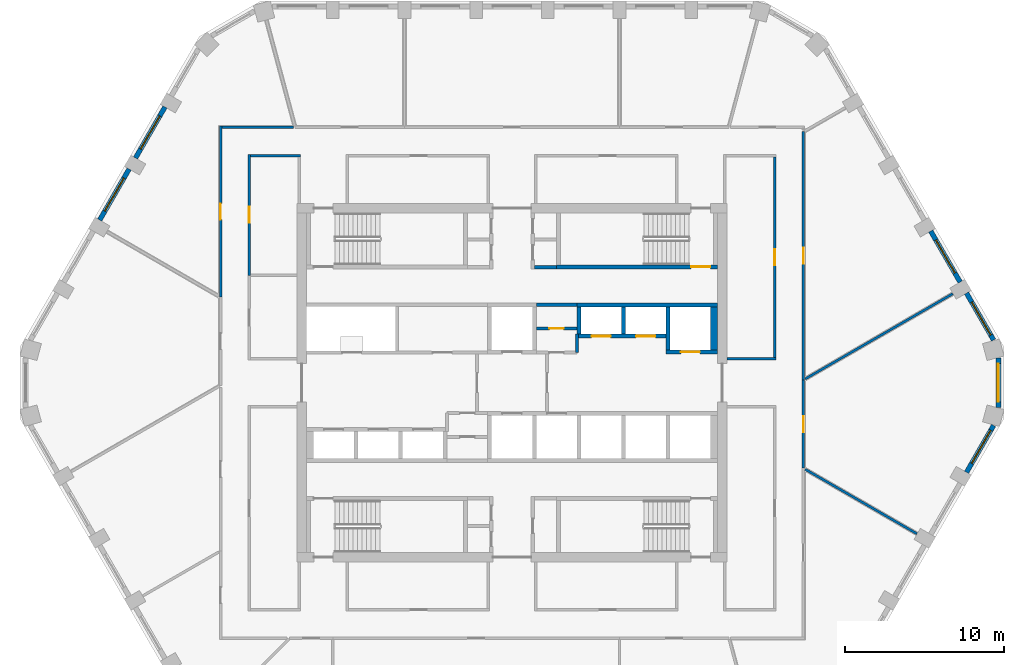
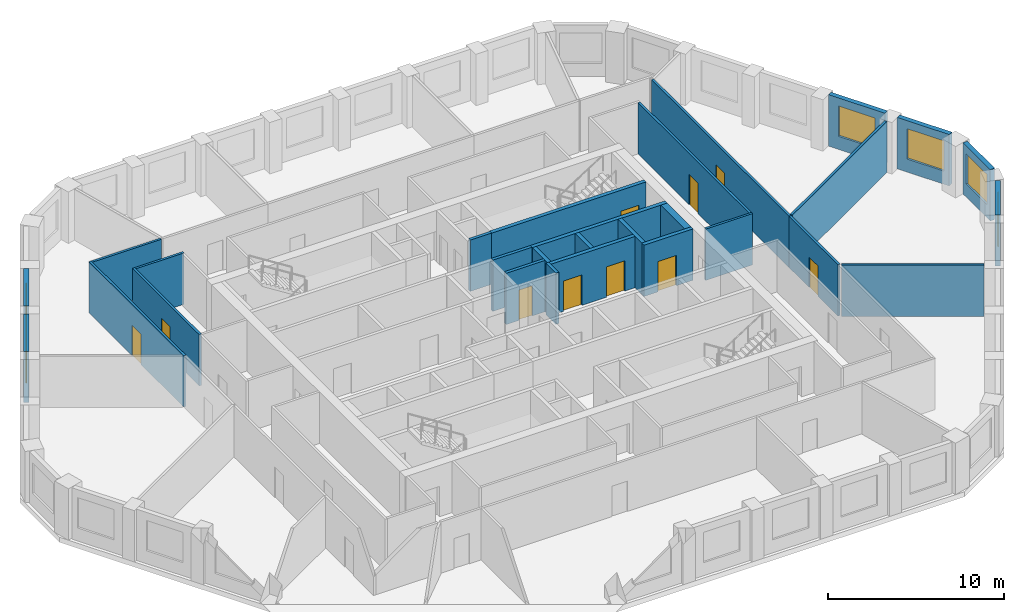
# One storey, part 5 of 13: 28 walls, 10 doors, 6 windows, 16 openings.
"""IFC4 building model written with IfcOpenShell, lengths in metres."""

from ifc_helpers import new_model, si_unit, direction, frame, frame_2d, origin, place, context, subcontext, project, spatial, polyline, rectangle, outline, extrude, material, layer, layer_set, type_object, element, fill, save


model = new_model("IFC4")

# Units and contexts
model_context = context("Model", 3, precision=1e-05, world=origin(), true_north=direction((0.0, 1.0)))
body_context = subcontext(model_context, "Body", "Model", "MODEL_VIEW")
ifc_project = project(units=[si_unit("LENGTHUNIT", "METRE"), si_unit("AREAUNIT", "SQUARE_METRE"), si_unit("VOLUMEUNIT", "CUBIC_METRE"), si_unit("PLANEANGLEUNIT", "RADIAN"), si_unit("MASSUNIT", "GRAM", prefix="KILO")], contexts=[model_context])

# Site, building, storey
site_placement = place(None, origin())
site = spatial("IfcSite", under=ifc_project, at=site_placement, CompositionType="ELEMENT")
building_placement = place(site_placement, origin())
building = spatial("IfcBuilding", under=site, at=building_placement, Name="Dhurran Vertical Campus", CompositionType="ELEMENT")
storey_placement = place(building_placement, frame((0.0, 0.0, 191.699951171875)))
storey = spatial("IfcBuildingStorey", under=building, at=storey_placement, Name="L47", CompositionType="ELEMENT", Elevation=191.699951171875)

# Wall, opening, window
ifc_material_1 = material(Name="Precast concrete C50/60", Category="concrete")
ifc_layer_1 = layer(ifc_material_1, 0.300048828125)
ifc_layer_set_1 = layer_set([ifc_layer_1], Name="Precast concrete C50/60")
wall_type_1 = type_object("IfcWallType", Name="Precast spandrel wall 300", PredefinedType="SOLIDWALL", material=ifc_layer_set_1)
wall_1_placement = place(storey_placement, frame((28.544189453125, -5.625244140625, 0.0), z_axis=(0.0, 0.0, 1.0), x_axis=(0.500012868213, 0.866017974191, 0.0)))
wall_1 = element("IfcWall", 1, at=wall_1_placement, inside=storey, type_object=wall_type_1, Name="EW1 L47.12", PredefinedType="SOLIDWALL", context=body_context, shape_type="SweptSolid", body=[
    extrude(rectangle(XDim=3.39599609375, YDim=0.300048828125, at=frame_2d((1.697998046875, 0.0))), origin(), (0.0, 0.0, 1.0), 3.550048828125),
])
opening_1_placement = place(wall_1_placement, frame((0.6494140625, 0.0, 0.89990234375)))
opening_1 = element("IfcOpeningElement", 2, at=opening_1_placement, cuts=wall_1, Name="Opening WT1", PredefinedType="OPENING", context=body_context, shape_type="SweptSolid", body=[
    extrude(rectangle(XDim=2.39990234375, YDim=2.10009765625, at=frame_2d((1.199951171875, 1.050048828125))), frame((0.0, 0.159912109375, 0.0), z_axis=(0.0, -1.0, 0.0), x_axis=(1.0, 0.0, 0.0)), (0.0, 0.0, 1.0), 0.320068359375),
])
ifc_material_2 = material(Name="Aluminium frame with solar-control glass", Category="aluminium")
window_type = type_object("IfcWindowType", Name="Punched window 2400 x 2100", PartitioningType="SINGLE_PANEL", PredefinedType="WINDOW", material=ifc_material_2)
window_1_placement = place(opening_1_placement, origin())
window_1 = element("IfcWindow", 3, at=window_1_placement, inside=storey, type_object=window_type, Name="WT1 L47.12", OverallHeight=2.10009765625, OverallWidth=2.39990234375, PartitioningType="SINGLE_PANEL", PredefinedType="WINDOW", context=body_context, shape_type="SweptSolid", body=[
    extrude(rectangle(XDim=2.39990234375, YDim=2.10009765625, at=frame_2d((1.199951171875, 1.050048828125))), frame((0.0, 0.030029296875, 0.0), z_axis=(0.0, -1.0, 0.0), x_axis=(1.0, 0.0, 0.0)), (0.0, 0.0, 1.0), 0.06005859375),
])
fill(opening_1, window_1)

wall_2_placement = place(storey_placement, frame((30.547119140625, -1.54638671875, 0.0), z_axis=(0.0, 0.0, 1.0), x_axis=(0.0, 1.0, 0.0)))
wall_2 = element("IfcWall", 4, at=wall_2_placement, inside=storey, type_object=wall_type_1, Name="EW1 L47.13", PredefinedType="SOLIDWALL", context=body_context, shape_type="SweptSolid", body=[
    extrude(rectangle(XDim=3.0927734375, YDim=0.300048828125, at=frame_2d((1.54638671875, 0.0))), origin(), (0.0, 0.0, 1.0), 3.550048828125),
])
opening_2_placement = place(wall_2_placement, frame((0.34619140625, 0.0, 0.89990234375)))
opening_2 = element("IfcOpeningElement", 5, at=opening_2_placement, cuts=wall_2, Name="Opening WT1", PredefinedType="OPENING", context=body_context, shape_type="SweptSolid", body=[
    extrude(rectangle(XDim=2.39990234375, YDim=2.10009765625, at=frame_2d((1.199951171875, 1.050048828125))), frame((0.0, 0.159912109375, 0.0), z_axis=(0.0, -1.0, 0.0), x_axis=(1.0, 0.0, 0.0)), (0.0, 0.0, 1.0), 0.320068359375),
])
window_2_placement = place(opening_2_placement, origin())
window_2 = element("IfcWindow", 6, at=window_2_placement, inside=storey, type_object=window_type, Name="WT1 L47.13", OverallHeight=2.10009765625, OverallWidth=2.39990234375, PartitioningType="SINGLE_PANEL", PredefinedType="WINDOW", context=body_context, shape_type="SweptSolid", body=[
    extrude(rectangle(XDim=2.39990234375, YDim=2.10009765625, at=frame_2d((1.199951171875, 1.050048828125))), frame((0.0, 0.030029296875, 0.0), z_axis=(0.0, -1.0, 0.0), x_axis=(1.0, 0.0, 0.0)), (0.0, 0.0, 1.0), 0.06005859375),
])
fill(opening_2, window_2)

wall_3_placement = place(storey_placement, frame((30.2421875, 2.684326171875, 0.0), z_axis=(0.0, 0.0, 1.0), x_axis=(-0.500012868213, 0.866017974191, 0.0)))
wall_3 = element("IfcWall", 7, at=wall_3_placement, inside=storey, type_object=wall_type_1, Name="EW1 L47.14", PredefinedType="SOLIDWALL", context=body_context, shape_type="SweptSolid", body=[
    extrude(rectangle(XDim=3.39599609375, YDim=0.300048828125, at=frame_2d((1.697998046875, 0.0))), origin(), (0.0, 0.0, 1.0), 3.550048828125),
])
opening_3_placement = place(wall_3_placement, frame((0.346435546875, 0.0, 0.89990234375)))
opening_3 = element("IfcOpeningElement", 8, at=opening_3_placement, cuts=wall_3, Name="Opening WT1", PredefinedType="OPENING", context=body_context, shape_type="SweptSolid", body=[
    extrude(rectangle(XDim=2.39990234375, YDim=2.10009765625, at=frame_2d((1.199951171875, 1.050048828125))), frame((0.0, 0.159912109375, 0.0), z_axis=(0.0, -1.0, 0.0), x_axis=(1.0, 0.0, 0.0)), (0.0, 0.0, 1.0), 0.320068359375),
])
window_3_placement = place(opening_3_placement, origin())
window_3 = element("IfcWindow", 9, at=window_3_placement, inside=storey, type_object=window_type, Name="WT1 L47.14", OverallHeight=2.10009765625, OverallWidth=2.39990234375, PartitioningType="SINGLE_PANEL", PredefinedType="WINDOW", context=body_context, shape_type="SweptSolid", body=[
    extrude(rectangle(XDim=2.39990234375, YDim=2.10009765625, at=frame_2d((1.199951171875, 1.050048828125))), frame((0.0, 0.030029296875, 0.0), z_axis=(0.0, -1.0, 0.0), x_axis=(1.0, 0.0, 0.0)), (0.0, 0.0, 1.0), 0.06005859375),
])
fill(opening_3, window_3)

wall_4_placement = place(storey_placement, frame((28.143798828125, 6.319091796875, 0.0), z_axis=(0.0, 0.0, 1.0), x_axis=(-0.500029062817, 0.866008623709, 0.0)))
wall_4 = element("IfcWall", 10, at=wall_4_placement, inside=storey, type_object=wall_type_1, Name="EW1 L47.15", PredefinedType="SOLIDWALL", context=body_context, shape_type="SweptSolid", body=[
    extrude(rectangle(XDim=3.698974609375, YDim=0.300048828125, at=frame_2d((1.849609375, 0.0))), origin(), (0.0, 0.0, 1.0), 3.550048828125),
])
opening_4_placement = place(wall_4_placement, frame((0.6494140625, 0.0, 0.89990234375)))
opening_4 = element("IfcOpeningElement", 11, at=opening_4_placement, cuts=wall_4, Name="Opening WT1", PredefinedType="OPENING", context=body_context, shape_type="SweptSolid", body=[
    extrude(rectangle(XDim=2.39990234375, YDim=2.10009765625, at=frame_2d((1.199951171875, 1.050048828125))), frame((0.0, 0.159912109375, 0.0), z_axis=(0.0, -1.0, 0.0), x_axis=(1.0, 0.0, 0.0)), (0.0, 0.0, 1.0), 0.320068359375),
])
window_4_placement = place(opening_4_placement, origin())
window_4 = element("IfcWindow", 12, at=window_4_placement, inside=storey, type_object=window_type, Name="WT1 L47.15", OverallHeight=2.10009765625, OverallWidth=2.39990234375, PartitioningType="SINGLE_PANEL", PredefinedType="WINDOW", context=body_context, shape_type="SweptSolid", body=[
    extrude(rectangle(XDim=2.39990234375, YDim=2.10009765625, at=frame_2d((1.199951171875, 1.050048828125))), frame((0.0, 0.030029296875, 0.0), z_axis=(0.0, -1.0, 0.0), x_axis=(1.0, 0.0, 0.0)), (0.0, 0.0, 1.0), 0.06005859375),
])
fill(opening_4, window_4)

wall_5_placement = place(storey_placement, frame((-21.794189453125, 17.316650390625, 0.0), z_axis=(0.0, 0.0, 1.0), x_axis=(-0.500029062817, -0.866008623709, 0.0)))
wall_5 = element("IfcWall", 13, at=wall_5_placement, inside=storey, type_object=wall_type_1, Name="EW1 L47.29", PredefinedType="SOLIDWALL", context=body_context, shape_type="SweptSolid", body=[
    extrude(rectangle(XDim=3.698974609375, YDim=0.300048828125, at=frame_2d((1.849609375, 0.0))), origin(), (0.0, 0.0, 1.0), 3.550048828125),
])
opening_5_placement = place(wall_5_placement, frame((0.6494140625, 0.0, 0.89990234375)))
opening_5 = element("IfcOpeningElement", 14, at=opening_5_placement, cuts=wall_5, Name="Opening WT1", PredefinedType="OPENING", context=body_context, shape_type="SweptSolid", body=[
    extrude(rectangle(XDim=2.39990234375, YDim=2.10009765625, at=frame_2d((1.199951171875, 1.050048828125))), frame((0.0, 0.159912109375, 0.0), z_axis=(0.0, -1.0, 0.0), x_axis=(1.0, 0.0, 0.0)), (0.0, 0.0, 1.0), 0.320068359375),
])
window_5_placement = place(opening_5_placement, origin())
window_5 = element("IfcWindow", 15, at=window_5_placement, inside=storey, type_object=window_type, Name="WT1 L47.29", OverallHeight=2.10009765625, OverallWidth=2.39990234375, PartitioningType="SINGLE_PANEL", PredefinedType="WINDOW", context=body_context, shape_type="SweptSolid", body=[
    extrude(rectangle(XDim=2.39990234375, YDim=2.10009765625, at=frame_2d((1.199951171875, 1.050048828125))), frame((0.0, 0.030029296875, 0.0), z_axis=(0.0, -1.0, 0.0), x_axis=(1.0, 0.0, 0.0)), (0.0, 0.0, 1.0), 0.06005859375),
])
fill(opening_5, window_5)

wall_6_placement = place(storey_placement, frame((-24.044189453125, 13.41943359375, 0.0), z_axis=(0.0, 0.0, 1.0), x_axis=(-0.500029062817, -0.866008623709, 0.0)))
wall_6 = element("IfcWall", 16, at=wall_6_placement, inside=storey, type_object=wall_type_1, Name="EW1 L47.30", PredefinedType="SOLIDWALL", context=body_context, shape_type="SweptSolid", body=[
    extrude(rectangle(XDim=3.698974609375, YDim=0.300048828125, at=frame_2d((1.849609375, 0.0))), origin(), (0.0, 0.0, 1.0), 3.550048828125),
])
opening_6_placement = place(wall_6_placement, frame((0.6494140625, 0.0, 0.89990234375)))
opening_6 = element("IfcOpeningElement", 17, at=opening_6_placement, cuts=wall_6, Name="Opening WT1", PredefinedType="OPENING", context=body_context, shape_type="SweptSolid", body=[
    extrude(rectangle(XDim=2.39990234375, YDim=2.10009765625, at=frame_2d((1.199951171875, 1.050048828125))), frame((0.0, 0.159912109375, 0.0), z_axis=(0.0, -1.0, 0.0), x_axis=(1.0, 0.0, 0.0)), (0.0, 0.0, 1.0), 0.320068359375),
])
window_6_placement = place(opening_6_placement, origin())
window_6 = element("IfcWindow", 18, at=window_6_placement, inside=storey, type_object=window_type, Name="WT1 L47.30", OverallHeight=2.10009765625, OverallWidth=2.39990234375, PartitioningType="SINGLE_PANEL", PredefinedType="WINDOW", context=body_context, shape_type="SweptSolid", body=[
    extrude(rectangle(XDim=2.39990234375, YDim=2.10009765625, at=frame_2d((1.199951171875, 1.050048828125))), frame((0.0, 0.030029296875, 0.0), z_axis=(0.0, -1.0, 0.0), x_axis=(1.0, 0.0, 0.0)), (0.0, 0.0, 1.0), 0.06005859375),
])
fill(opening_6, window_6)

# Wall
ifc_material_3 = material(Name="Fire-rated masonry blockwork", Category="masonry")
ifc_layer_2 = layer(ifc_material_3, 0.199951171875)
ifc_layer_set_2 = layer_set([ifc_layer_2], Name="Fire-rated masonry blockwork")
wall_type_2 = type_object("IfcWallType", Name="co-FIRE-PARTITION-200", PredefinedType="PARTITIONING", material=ifc_layer_set_2)
wall_7_placement = place(storey_placement, frame((1.39990234375, 7.25, 0.0), z_axis=(0.0, 0.0, 1.0), x_axis=(1.0, 0.0, 0.0)))
element("IfcWall", 19, at=wall_7_placement, inside=storey, type_object=wall_type_2, Name="Core partition sl-NE-S L47", PredefinedType="PARTITIONING", context=body_context, shape_type="SweptSolid", body=[
    extrude(rectangle(XDim=1.400146484375, YDim=0.199951171875, at=frame_2d((0.7001953125, 0.0))), origin(), (0.0, 0.0, 1.0), 3.550048828125),
])

# Wall, opening, door
wall_8_placement = place(storey_placement, frame((1.52490234375, 3.39990234375, 0.0), z_axis=(0.0, 0.0, 1.0), x_axis=(1.0, 0.0, 0.0)))
wall_8 = element("IfcWall", 20, at=wall_8_placement, inside=storey, type_object=wall_type_2, Name="Core partition fr-N1-c L47", PredefinedType="PARTITIONING", context=body_context, shape_type="SweptSolid", body=[
    extrude(rectangle(XDim=2.550048828125, YDim=0.199951171875, at=frame_2d((1.27490234375, 0.0))), origin(), (0.0, 0.0, 1.0), 3.550048828125),
])
opening_7_placement = place(wall_8_placement, frame((0.824951171875, 0.0, 0.0)))
opening_7 = element("IfcOpeningElement", 21, at=opening_7_placement, cuts=wall_8, Name="Opening T13-C10", PredefinedType="OPENING", context=body_context, shape_type="SweptSolid", body=[
    extrude(rectangle(XDim=0.89990234375, YDim=2.10009765625, at=frame_2d((0.449951171875, 1.050048828125))), frame((0.0, 0.10986328125, 0.0), z_axis=(0.0, -1.0, 0.0), x_axis=(1.0, 0.0, 0.0)), (0.0, 0.0, 1.0), 0.219970703125),
])
ifc_material_4 = material(Name="Fire-rated timber door set", Category="wood")
door_type_1 = type_object("IfcDoorType", Name="co-D-ROOM 900x2100", OperationType="SINGLE_SWING_LEFT", PredefinedType="DOOR", material=ifc_material_4)
door_1_placement = place(opening_7_placement, origin())
door_1 = element("IfcDoor", 22, at=door_1_placement, inside=storey, type_object=door_type_1, Name="Cleaner's store door L47", OperationType="SINGLE_SWING_LEFT", OverallHeight=2.10009765625, OverallWidth=0.89990234375, PredefinedType="DOOR", context=body_context, shape_type="SweptSolid", body=[
    extrude(rectangle(XDim=0.89990234375, YDim=2.10009765625, at=frame_2d((0.449951171875, 1.050048828125))), frame((0.0, 0.02490234375, 0.0), z_axis=(0.0, -1.0, 0.0), x_axis=(1.0, 0.0, 0.0)), (0.0, 0.0, 1.0), 0.050048828125),
])
fill(opening_7, door_1)

# Walls
wall_9_placement = place(storey_placement, frame((1.52490234375, 4.89990234375, 0.0), z_axis=(0.0, 0.0, 1.0), x_axis=(1.0, 0.0, 0.0)))
element("IfcWall", 23, at=wall_9_placement, inside=storey, type_object=wall_type_2, Name="Core partition fr-N1-b L47", PredefinedType="PARTITIONING", context=body_context, shape_type="SweptSolid", body=[
    extrude(rectangle(XDim=2.550048828125, YDim=0.199951171875, at=frame_2d((1.27490234375, 0.0))), origin(), (0.0, 0.0, 1.0), 3.550048828125),
])
wall_10_placement = place(storey_placement, frame((4.074951171875, 1.89990234375, 0.0), z_axis=(0.0, 0.0, 1.0), x_axis=(0.0, 1.0, 0.0)))
element("IfcWall", 24, at=wall_10_placement, inside=storey, type_object=wall_type_2, Name="Core partition fr-N1-n1 L47", PredefinedType="PARTITIONING", context=body_context, shape_type="SweptSolid", body=[
    extrude(rectangle(XDim=1.150146484375, YDim=0.199951171875, at=frame_2d((0.5751953125, 0.0))), origin(), (0.0, 0.0, 1.0), 3.550048828125),
])

# Wall, openings, doors
ifc_material_5 = material(Name="Concrete C50/60", Category="concrete")
ifc_layer_3 = layer(ifc_material_5, 0.25)
ifc_layer_set_3 = layer_set([ifc_layer_3], Name="Concrete C50/60")
wall_type_3 = type_object("IfcWallType", Name="co-SHAFT-FRONT-250", PredefinedType="SHEAR", material=ifc_layer_set_3)
wall_11_placement = place(storey_placement, frame((4.074951171875, 2.925048828125, 0.0), z_axis=(0.0, 0.0, 1.0), x_axis=(1.0, 0.0, 0.0)))
wall_11 = element("IfcWall", 25, at=wall_11_placement, inside=storey, type_object=wall_type_3, Name="Lift landing wall N L47", PredefinedType="SHEAR", context=body_context, shape_type="SweptSolid", body=[
    extrude(rectangle(XDim=5.85009765625, YDim=0.25, at=frame_2d((2.925048828125, 0.0))), origin(), (0.0, 0.0, 1.0), 3.550048828125),
])
opening_8_placement = place(wall_11_placement, frame((0.925048828125, 0.0, 0.0)))
opening_8 = element("IfcOpeningElement", 26, at=opening_8_placement, cuts=wall_11, Name="Opening LD", PredefinedType="OPENING", context=body_context, shape_type="SweptSolid", body=[
    extrude(rectangle(XDim=1.199951171875, YDim=2.10009765625, at=frame_2d((0.60009765625, 1.050048828125))), frame((0.0, 0.135009765625, 0.0), z_axis=(0.0, -1.0, 0.0), x_axis=(1.0, 0.0, 0.0)), (0.0, 0.0, 1.0), 0.27001953125),
])
opening_9_placement = place(wall_11_placement, frame((3.72509765625, 0.0, 0.0)))
opening_9 = element("IfcOpeningElement", 27, at=opening_9_placement, cuts=wall_11, Name="Opening LD", PredefinedType="OPENING", context=body_context, shape_type="SweptSolid", body=[
    extrude(rectangle(XDim=1.199951171875, YDim=2.10009765625, at=frame_2d((0.60009765625, 1.050048828125))), frame((0.0, 0.135009765625, 0.0), z_axis=(0.0, -1.0, 0.0), x_axis=(1.0, 0.0, 0.0)), (0.0, 0.0, 1.0), 0.27001953125),
])
ifc_material_6 = material(Name="Stainless steel landing door", Category="steel")
door_type_2 = type_object("IfcDoorType", Name="co-D-LANDING 1200x2100", OperationType="DOUBLE_DOOR_SLIDING", PredefinedType="DOOR", material=ifc_material_6)
door_2_placement = place(opening_8_placement, origin())
door_2 = element("IfcDoor", 28, at=door_2_placement, inside=storey, type_object=door_type_2, Name="Landing door MR1 L47", OperationType="DOUBLE_DOOR_SLIDING", OverallHeight=2.10009765625, OverallWidth=1.199951171875, PredefinedType="DOOR", context=body_context, shape_type="SweptSolid", body=[
    extrude(rectangle(XDim=1.199951171875, YDim=2.10009765625, at=frame_2d((0.60009765625, 1.050048828125))), frame((0.0, 0.02490234375, 0.0), z_axis=(0.0, -1.0, 0.0), x_axis=(1.0, 0.0, 0.0)), (0.0, 0.0, 1.0), 0.050048828125),
])
fill(opening_8, door_2)
door_3_placement = place(opening_9_placement, origin())
door_3 = element("IfcDoor", 29, at=door_3_placement, inside=storey, type_object=door_type_2, Name="Landing door MR2 L47", OperationType="DOUBLE_DOOR_SLIDING", OverallHeight=2.10009765625, OverallWidth=1.199951171875, PredefinedType="DOOR", context=body_context, shape_type="SweptSolid", body=[
    extrude(rectangle(XDim=1.199951171875, YDim=2.10009765625, at=frame_2d((0.60009765625, 1.050048828125))), frame((0.0, 0.02490234375, 0.0), z_axis=(0.0, -1.0, 0.0), x_axis=(1.0, 0.0, 0.0)), (0.0, 0.0, 1.0), 0.050048828125),
])
fill(opening_9, door_3)

# Wall, opening, door
wall_12_placement = place(storey_placement, frame((9.675048828125, 1.925048828125, 0.0), z_axis=(0.0, 0.0, 1.0), x_axis=(1.0, 0.0, 0.0)))
wall_12 = element("IfcWall", 30, at=wall_12_placement, inside=storey, type_object=wall_type_3, Name="Lift landing wall N L47", PredefinedType="SHEAR", context=body_context, shape_type="SweptSolid", body=[
    extrude(rectangle(XDim=3.224853515625, YDim=0.25, at=frame_2d((1.6123046875, 0.0))), origin(), (0.0, 0.0, 1.0), 3.550048828125),
])
opening_10_placement = place(wall_12_placement, frame((0.925048828125, 0.0, 0.0)))
opening_10 = element("IfcOpeningElement", 31, at=opening_10_placement, cuts=wall_12, Name="Opening LD", PredefinedType="OPENING", context=body_context, shape_type="SweptSolid", body=[
    extrude(rectangle(XDim=1.199951171875, YDim=2.10009765625, at=frame_2d((0.60009765625, 1.050048828125))), frame((0.0, 0.135009765625, 0.0), z_axis=(0.0, -1.0, 0.0), x_axis=(1.0, 0.0, 0.0)), (0.0, 0.0, 1.0), 0.27001953125),
])
door_4_placement = place(opening_10_placement, origin())
door_4 = element("IfcDoor", 32, at=door_4_placement, inside=storey, type_object=door_type_2, Name="Landing door SV2 L47", OperationType="DOUBLE_DOOR_SLIDING", OverallHeight=2.10009765625, OverallWidth=1.199951171875, PredefinedType="DOOR", context=body_context, shape_type="SweptSolid", body=[
    extrude(rectangle(XDim=1.199951171875, YDim=2.10009765625, at=frame_2d((0.60009765625, 1.050048828125))), frame((0.0, 0.02490234375, 0.0), z_axis=(0.0, -1.0, 0.0), x_axis=(1.0, 0.0, 0.0)), (0.0, 0.0, 1.0), 0.050048828125),
])
fill(opening_10, door_4)

# Walls
ifc_material_7 = material(Name="Concrete C50/60", Category="concrete")
ifc_layer_4 = layer(ifc_material_7, 0.25)
ifc_layer_set_4 = layer_set([ifc_layer_4], Name="Concrete C50/60")
wall_type_4 = type_object("IfcWallType", Name="co-SHAFT-MASS-250", PredefinedType="SHEAR", material=ifc_layer_set_4)
wall_13_placement = place(storey_placement, origin())
element("IfcWall", 33, at=wall_13_placement, inside=storey, type_object=wall_type_4, Name="Lift shaft wall N L47 2", PredefinedType="SHEAR", context=body_context, shape_type="SweptSolid", body=[
    extrude(outline(polyline([(4.074951171875, 4.75), (12.89990234375, 4.75), (12.89990234375, 5.0), (4.074951171875, 5.0), (4.074951171875, 4.75)])), origin(), (0.0, 0.0, 1.0), 3.550048828125),
])
wall_14_placement = place(storey_placement, origin())
element("IfcWall", 34, at=wall_14_placement, inside=storey, type_object=wall_type_4, Name="Lift shaft wall N L47 5", PredefinedType="SHEAR", context=body_context, shape_type="SweptSolid", body=[
    extrude(outline(polyline([(9.675048828125, 2.050048828125), (9.925048828125, 2.050048828125), (9.925048828125, 4.75), (9.675048828125, 4.75), (9.675048828125, 2.050048828125)])), origin(), (0.0, 0.0, 1.0), 3.550048828125),
])
wall_15_placement = place(storey_placement, origin())
element("IfcWall", 35, at=wall_15_placement, inside=storey, type_object=wall_type_4, Name="Lift shaft wall N L47 6", PredefinedType="SHEAR", context=body_context, shape_type="SweptSolid", body=[
    extrude(outline(polyline([(12.47509765625, 2.050048828125), (12.89990234375, 2.050048828125), (12.89990234375, 4.75), (12.47509765625, 4.75), (12.47509765625, 2.050048828125)])), origin(), (0.0, 0.0, 1.0), 3.550048828125),
])
wall_16_placement = place(storey_placement, origin())
element("IfcWall", 36, at=wall_16_placement, inside=storey, type_object=wall_type_4, Name="Lift shaft wall N L47 7", PredefinedType="SHEAR", context=body_context, shape_type="SweptSolid", body=[
    extrude(outline(polyline([(4.074951171875, 3.050048828125), (4.324951171875, 3.050048828125), (4.324951171875, 4.75), (4.074951171875, 4.75), (4.074951171875, 3.050048828125)])), origin(), (0.0, 0.0, 1.0), 3.550048828125),
])
wall_17_placement = place(storey_placement, origin())
element("IfcWall", 37, at=wall_17_placement, inside=storey, type_object=wall_type_4, Name="Lift shaft wall N L47 8", PredefinedType="SHEAR", context=body_context, shape_type="SweptSolid", body=[
    extrude(outline(polyline([(6.875, 3.050048828125), (7.125, 3.050048828125), (7.125, 4.75), (6.875, 4.75), (6.875, 3.050048828125)])), origin(), (0.0, 0.0, 1.0), 3.550048828125),
])

# Wall, opening, door
ifc_material_8 = material(Name="Concrete C40/50", Category="concrete")
ifc_layer_5 = layer(ifc_material_8, 0.25)
ifc_layer_set_5 = layer_set([ifc_layer_5], Name="Concrete C40/50")
wall_type_5 = type_object("IfcWallType", Name="co-STAIR-WALL-250", PredefinedType="SHEAR", material=ifc_layer_set_5)
wall_18_placement = place(storey_placement, frame((2.800048828125, 7.27490234375, 0.0), z_axis=(0.0, 0.0, 1.0), x_axis=(1.0, 0.0, 0.0)))
wall_18 = element("IfcWall", 38, at=wall_18_placement, inside=storey, type_object=wall_type_5, Name="Stair ST2 enclosure wall L47", PredefinedType="SHEAR", context=body_context, shape_type="SweptSolid", body=[
    extrude(rectangle(XDim=10.099853515625, YDim=0.25, at=frame_2d((5.0498046875, 0.0))), origin(), (0.0, 0.0, 1.0), 3.550048828125),
])
opening_11_placement = place(wall_18_placement, frame((8.449951171875, 0.0, 0.0)))
opening_11 = element("IfcOpeningElement", 39, at=opening_11_placement, cuts=wall_18, Name="Opening SD2", PredefinedType="OPENING", context=body_context, shape_type="SweptSolid", body=[
    extrude(rectangle(XDim=1.199951171875, YDim=2.10009765625, at=frame_2d((0.60009765625, 1.050048828125))), frame((0.0, 0.135009765625, 0.0), z_axis=(0.0, -1.0, 0.0), x_axis=(1.0, 0.0, 0.0)), (0.0, 0.0, 1.0), 0.27001953125),
])
ifc_material_9 = material(Name="Fire-rated steel door set", Category="steel")
door_type_3 = type_object("IfcDoorType", Name="co-D-STAIR 1200x2100", OperationType="SINGLE_SWING_LEFT", PredefinedType="DOOR", material=ifc_material_9)
door_5_placement = place(opening_11_placement, origin())
door_5 = element("IfcDoor", 40, at=door_5_placement, inside=storey, type_object=door_type_3, Name="Stair ST2 door L47", OperationType="SINGLE_SWING_LEFT", OverallHeight=2.10009765625, OverallWidth=1.199951171875, PredefinedType="DOOR", context=body_context, shape_type="SweptSolid", body=[
    extrude(rectangle(XDim=1.199951171875, YDim=2.10009765625, at=frame_2d((0.60009765625, 1.050048828125))), frame((0.0, 0.02490234375, 0.0), z_axis=(0.0, -1.0, 0.0), x_axis=(1.0, 0.0, 0.0)), (0.0, 0.0, 1.0), 0.050048828125),
])
fill(opening_11, door_5)

ifc_material_10 = material(Name="Gypsum board corridor wall on steel studs", Category="steel")
ifc_layer_6 = layer(ifc_material_10, 0.14990234375)
ifc_layer_set_6 = layer_set([ifc_layer_6], Name="Gypsum board corridor wall on steel studs")
wall_type_6 = type_object("IfcWallType", Name="fl-CW-150 corridor wall", PredefinedType="PARTITIONING", material=ifc_layer_set_6)
wall_19_placement = place(storey_placement, frame((-18.300048828125, 16.125, 0.0), z_axis=(0.0, 0.0, 1.0), x_axis=(0.0, -1.0, 0.0)))
wall_19 = element("IfcWall", 41, at=wall_19_placement, inside=storey, type_object=wall_type_6, Name="Partition 47-09", PredefinedType="PARTITIONING", context=body_context, shape_type="SweptSolid", body=[
    extrude(rectangle(XDim=10.756103515625, YDim=0.14990234375, at=frame_2d((5.3779296875, 0.0))), origin(), (0.0, 0.0, 1.0), 3.550048828125),
])
opening_12_placement = place(wall_19_placement, frame((4.8779296875, 0.0, 0.0)))
opening_12 = element("IfcOpeningElement", 42, at=opening_12_placement, cuts=wall_19, Name="Opening T13.03", PredefinedType="OPENING", context=body_context, shape_type="SweptSolid", body=[
    extrude(rectangle(XDim=1.0, YDim=2.10009765625, at=frame_2d((0.5, 1.050048828125))), frame((0.0, 0.0849609375, 0.0), z_axis=(0.0, -1.0, 0.0), x_axis=(1.0, 0.0, 0.0)), (0.0, 0.0, 1.0), 0.169921875),
])
ifc_material_11 = material(Name="Solid-core timber door set, fire-rated", Category="wood")
door_type_4 = type_object("IfcDoorType", Name="fl-D-1000x2100", OperationType="SINGLE_SWING_LEFT", PredefinedType="DOOR", material=ifc_material_11)
door_6_placement = place(opening_12_placement, origin())
door_6 = element("IfcDoor", 43, at=door_6_placement, inside=storey, type_object=door_type_4, Name="Door 47.03", OperationType="SINGLE_SWING_LEFT", OverallHeight=2.10009765625, OverallWidth=1.0, PredefinedType="DOOR", context=body_context, shape_type="SweptSolid", body=[
    extrude(rectangle(XDim=1.0, YDim=2.10009765625, at=frame_2d((0.5, 1.050048828125))), frame((0.0, 0.02490234375, 0.0), z_axis=(0.0, -1.0, 0.0), x_axis=(1.0, 0.0, 0.0)), (0.0, 0.0, 1.0), 0.050048828125),
])
fill(opening_12, door_6)

# Wall
wall_20_placement = place(storey_placement, frame((-13.718994140625, 16.050048828125, 0.0), z_axis=(0.0, 0.0, 1.0), x_axis=(-1.0, 0.0, 0.0)))
element("IfcWall", 44, at=wall_20_placement, inside=storey, type_object=wall_type_6, Name="Partition 47-10", PredefinedType="PARTITIONING", context=body_context, shape_type="SweptSolid", body=[
    extrude(rectangle(XDim=4.506103515625, YDim=0.14990234375, at=frame_2d((2.2529296875, 0.0))), origin(), (0.0, 0.0, 1.0), 3.550048828125),
])

# Wall, opening, door
wall_21_placement = place(storey_placement, frame((-16.5, 6.75, 0.0), z_axis=(0.0, 0.0, 1.0), x_axis=(0.0, 1.0, 0.0)))
wall_21 = element("IfcWall", 45, at=wall_21_placement, inside=storey, type_object=wall_type_6, Name="Partition 47-16", PredefinedType="PARTITIONING", context=body_context, shape_type="SweptSolid", body=[
    extrude(rectangle(XDim=7.574951171875, YDim=0.14990234375, at=frame_2d((3.78759765625, 0.0))), origin(), (0.0, 0.0, 1.0), 3.550048828125),
])
opening_13_placement = place(wall_21_placement, frame((3.28759765625, 0.0, 0.0)))
opening_13 = element("IfcOpeningElement", 46, at=opening_13_placement, cuts=wall_21, Name="Opening T13.07", PredefinedType="OPENING", context=body_context, shape_type="SweptSolid", body=[
    extrude(rectangle(XDim=1.0, YDim=2.10009765625, at=frame_2d((0.5, 1.050048828125))), frame((0.0, 0.0849609375, 0.0), z_axis=(0.0, -1.0, 0.0), x_axis=(1.0, 0.0, 0.0)), (0.0, 0.0, 1.0), 0.169921875),
])
door_7_placement = place(opening_13_placement, origin())
door_7 = element("IfcDoor", 47, at=door_7_placement, inside=storey, type_object=door_type_4, Name="Door 47.07", OperationType="SINGLE_SWING_RIGHT", OverallHeight=2.10009765625, OverallWidth=1.0, PredefinedType="DOOR", context=body_context, shape_type="SweptSolid", body=[
    extrude(rectangle(XDim=1.0, YDim=2.10009765625, at=frame_2d((0.5, 1.050048828125))), frame((0.0, 0.02490234375, 0.0), z_axis=(0.0, -1.0, 0.0), x_axis=(1.0, 0.0, 0.0)), (0.0, 0.0, 1.0), 0.050048828125),
])
fill(opening_13, door_7)

# Walls
wall_22_placement = place(storey_placement, frame((-16.425048828125, 14.25, 0.0), z_axis=(0.0, 0.0, 1.0), x_axis=(1.0, 0.0, 0.0)))
element("IfcWall", 48, at=wall_22_placement, inside=storey, type_object=wall_type_6, Name="Partition 47-18", PredefinedType="PARTITIONING", context=body_context, shape_type="SweptSolid", body=[
    extrude(rectangle(XDim=3.150146484375, YDim=0.14990234375, at=frame_2d((1.5751953125, 0.0))), origin(), (0.0, 0.0, 1.0), 3.550048828125),
])
wall_23_placement = place(storey_placement, frame((16.574951171875, 1.5, 0.0), z_axis=(0.0, 0.0, 1.0), x_axis=(-1.0, 0.0, 0.0)))
element("IfcWall", 49, at=wall_23_placement, inside=storey, type_object=wall_type_6, Name="Partition 47-49", PredefinedType="PARTITIONING", context=body_context, shape_type="SweptSolid", body=[
    extrude(rectangle(XDim=3.074951171875, YDim=0.14990234375, at=frame_2d((1.53759765625, 0.0))), origin(), (0.0, 0.0, 1.0), 3.550048828125),
])

# Wall, opening, door
wall_24_placement = place(storey_placement, frame((16.5, 14.175048828125, 0.0), z_axis=(0.0, 0.0, 1.0), x_axis=(0.0, -1.0, 0.0)))
wall_24 = element("IfcWall", 50, at=wall_24_placement, inside=storey, type_object=wall_type_6, Name="Partition 47-55", PredefinedType="PARTITIONING", context=body_context, shape_type="SweptSolid", body=[
    extrude(rectangle(XDim=12.60009765625, YDim=0.14990234375, at=frame_2d((6.300048828125, 0.0))), origin(), (0.0, 0.0, 1.0), 3.550048828125),
])
opening_14_placement = place(wall_24_placement, frame((5.800048828125, 0.0, 0.0)))
opening_14 = element("IfcOpeningElement", 51, at=opening_14_placement, cuts=wall_24, Name="Opening T13.19", PredefinedType="OPENING", context=body_context, shape_type="SweptSolid", body=[
    extrude(rectangle(XDim=1.0, YDim=2.10009765625, at=frame_2d((0.5, 1.050048828125))), frame((0.0, 0.0849609375, 0.0), z_axis=(0.0, -1.0, 0.0), x_axis=(1.0, 0.0, 0.0)), (0.0, 0.0, 1.0), 0.169921875),
])
door_8_placement = place(opening_14_placement, origin())
door_8 = element("IfcDoor", 52, at=door_8_placement, inside=storey, type_object=door_type_4, Name="Door 47.19", OperationType="SINGLE_SWING_RIGHT", OverallHeight=2.10009765625, OverallWidth=1.0, PredefinedType="DOOR", context=body_context, shape_type="SweptSolid", body=[
    extrude(rectangle(XDim=1.0, YDim=2.10009765625, at=frame_2d((0.5, 1.050048828125))), frame((0.0, 0.02490234375, 0.0), z_axis=(0.0, -1.0, 0.0), x_axis=(1.0, 0.0, 0.0)), (0.0, 0.0, 1.0), 0.050048828125),
])
fill(opening_14, door_8)

wall_25_placement = place(storey_placement, frame((18.300048828125, -5.368896484375, 0.0), z_axis=(0.0, 0.0, 1.0), x_axis=(0.0, 1.0, 0.0)))
wall_25 = element("IfcWall", 53, at=wall_25_placement, inside=storey, type_object=wall_type_6, Name="Partition 47-57", PredefinedType="PARTITIONING", context=body_context, shape_type="SweptSolid", body=[
    extrude(rectangle(XDim=5.5419921875, YDim=0.14990234375, at=frame_2d((2.77099609375, 0.0))), origin(), (0.0, 0.0, 1.0), 3.550048828125),
])
opening_15_placement = place(wall_25_placement, frame((2.27099609375, 0.0, 0.0)))
opening_15 = element("IfcOpeningElement", 54, at=opening_15_placement, cuts=wall_25, Name="Opening T13.23", PredefinedType="OPENING", context=body_context, shape_type="SweptSolid", body=[
    extrude(rectangle(XDim=1.0, YDim=2.10009765625, at=frame_2d((0.5, 1.050048828125))), frame((0.0, 0.0849609375, 0.0), z_axis=(0.0, -1.0, 0.0), x_axis=(1.0, 0.0, 0.0)), (0.0, 0.0, 1.0), 0.169921875),
])
door_9_placement = place(opening_15_placement, origin())
door_9 = element("IfcDoor", 55, at=door_9_placement, inside=storey, type_object=door_type_4, Name="Door 47.23", OperationType="SINGLE_SWING_LEFT", OverallHeight=2.10009765625, OverallWidth=1.0, PredefinedType="DOOR", context=body_context, shape_type="SweptSolid", body=[
    extrude(rectangle(XDim=1.0, YDim=2.10009765625, at=frame_2d((0.5, 1.050048828125))), frame((0.0, 0.02490234375, 0.0), z_axis=(0.0, -1.0, 0.0), x_axis=(1.0, 0.0, 0.0)), (0.0, 0.0, 1.0), 0.050048828125),
])
fill(opening_15, door_9)

wall_26_placement = place(storey_placement, frame((18.300048828125, 0.173095703125, 0.0), z_axis=(0.0, 0.0, 1.0), x_axis=(0.0, 1.0, 0.0)))
wall_26 = element("IfcWall", 56, at=wall_26_placement, inside=storey, type_object=wall_type_6, Name="Partition 47-59", PredefinedType="PARTITIONING", context=body_context, shape_type="SweptSolid", body=[
    extrude(rectangle(XDim=15.5888671875, YDim=0.14990234375, at=frame_2d((7.79443359375, 0.0))), origin(), (0.0, 0.0, 1.0), 3.550048828125),
])
opening_16_placement = place(wall_26_placement, frame((7.29443359375, 0.0, 0.0)))
opening_16 = element("IfcOpeningElement", 57, at=opening_16_placement, cuts=wall_26, Name="Opening T13.22", PredefinedType="OPENING", context=body_context, shape_type="SweptSolid", body=[
    extrude(rectangle(XDim=1.0, YDim=2.10009765625, at=frame_2d((0.5, 1.050048828125))), frame((0.0, 0.0849609375, 0.0), z_axis=(0.0, -1.0, 0.0), x_axis=(1.0, 0.0, 0.0)), (0.0, 0.0, 1.0), 0.169921875),
])
door_10_placement = place(opening_16_placement, origin())
door_10 = element("IfcDoor", 58, at=door_10_placement, inside=storey, type_object=door_type_4, Name="Door 47.22", OperationType="SINGLE_SWING_RIGHT", OverallHeight=2.10009765625, OverallWidth=1.0, PredefinedType="DOOR", context=body_context, shape_type="SweptSolid", body=[
    extrude(rectangle(XDim=1.0, YDim=2.10009765625, at=frame_2d((0.5, 1.050048828125))), frame((0.0, 0.02490234375, 0.0), z_axis=(0.0, -1.0, 0.0), x_axis=(1.0, 0.0, 0.0)), (0.0, 0.0, 1.0), 0.050048828125),
])
fill(opening_16, door_10)

# Walls
ifc_material_12 = material(Name="Gypsum board partition on steel studs", Category="steel")
ifc_layer_7 = layer(ifc_material_12, 0.14990234375)
ifc_layer_set_7 = layer_set([ifc_layer_7], Name="Gypsum board partition on steel studs")
wall_type_7 = type_object("IfcWallType", Name="fl-PW-150 fixed partition", PredefinedType="PARTITIONING", material=ifc_layer_set_7)
wall_27_placement = place(storey_placement, frame((18.41259765625, -5.43408203125, 0.0), z_axis=(0.0, 0.0, 1.0), x_axis=(0.866017937352, -0.500012932018, 0.0)))
element("IfcWall", 59, at=wall_27_placement, inside=storey, type_object=wall_type_7, Name="Partition 47-58", PredefinedType="PARTITIONING", context=body_context, shape_type="SweptSolid", body=[
    extrude(rectangle(XDim=8.099853515625, YDim=0.14990234375, at=frame_2d((4.0498046875, 0.0))), origin(), (0.0, 0.0, 1.0), 3.550048828125),
])
wall_28_placement = place(storey_placement, frame((27.677001953125, 5.587158203125, 0.0), z_axis=(0.0, 0.0, 1.0), x_axis=(-0.866012662218, -0.50002206839, 0.0)))
element("IfcWall", 60, at=wall_28_placement, inside=storey, type_object=wall_type_7, Name="Partition 47-60", PredefinedType="PARTITIONING", context=body_context, shape_type="SweptSolid", body=[
    extrude(rectangle(XDim=10.69775390625, YDim=0.14990234375, at=frame_2d((5.348876953125, 0.0))), origin(), (0.0, 0.0, 1.0), 3.550048828125),
])

save(model, "model.ifc")
